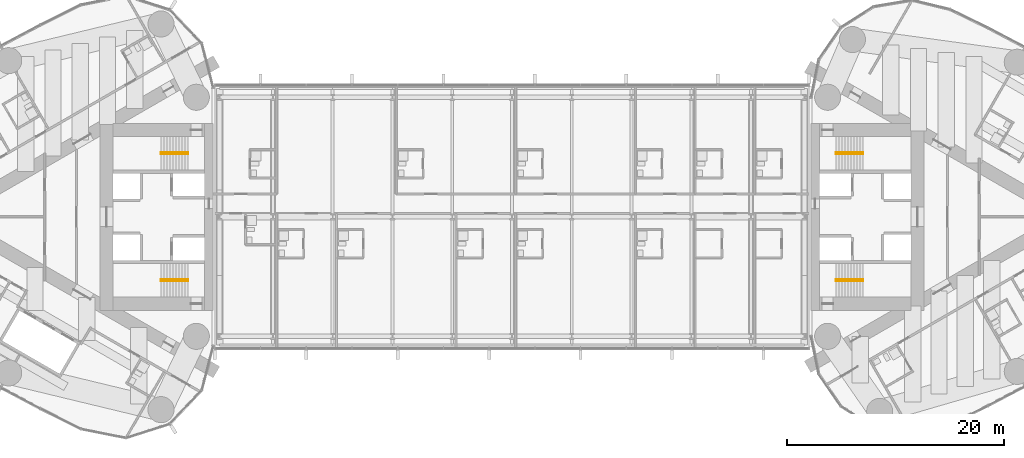
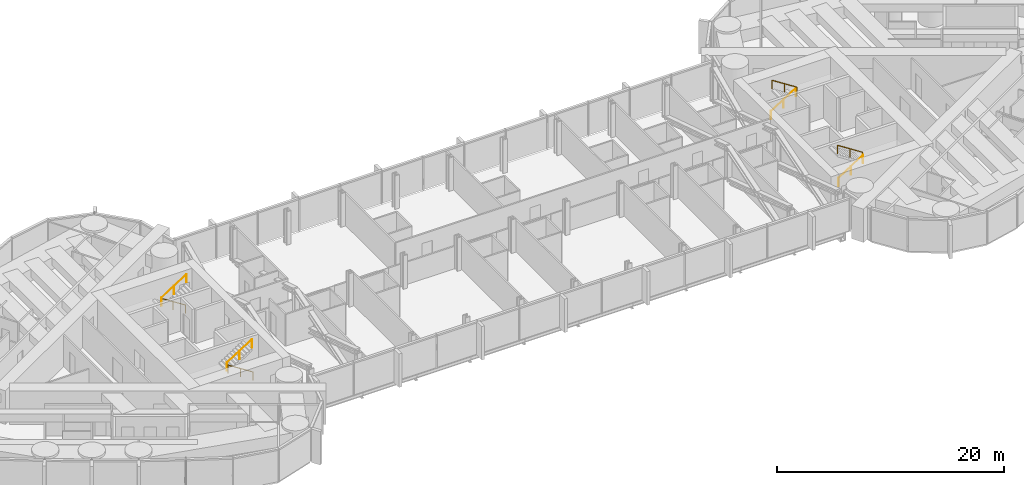
# One storey, part 22 of 23: 8 railings.
"""IFC4 building model written with IfcOpenShell, lengths in metres."""

from ifc_helpers import new_model, si_unit, direction, frame, origin, origin_2d, place, context, subcontext, project, spatial, circle, extrude, material, type_object, element, save


model = new_model("IFC4")

# Units and contexts
model_context = context("Model", 3, precision=1e-05, world=origin(), true_north=direction((0.0, 1.0)))
body_context = subcontext(model_context, "Body", "Model", "MODEL_VIEW")
ifc_project = project(units=[si_unit("LENGTHUNIT", "METRE"), si_unit("AREAUNIT", "SQUARE_METRE"), si_unit("VOLUMEUNIT", "CUBIC_METRE"), si_unit("PLANEANGLEUNIT", "RADIAN"), si_unit("MASSUNIT", "GRAM", prefix="KILO")], contexts=[model_context])

# Site, building, storey
site_placement = place(None, origin())
site = spatial("IfcSite", under=ifc_project, at=site_placement, CompositionType="ELEMENT")
building_placement = place(site_placement, origin())
building = spatial("IfcBuilding", under=site, at=building_placement, Name="Lancet Gate Hotel", CompositionType="ELEMENT")
storey_placement = place(building_placement, frame((0.0, 0.0, 240.5)))
storey = spatial("IfcBuildingStorey", under=building, at=storey_placement, Name="L64", CompositionType="ELEMENT", Elevation=240.5)

# Railings
ifc_material = material(Name="Stainless steel handrail", Category="steel")
railing_type = type_object("IfcRailingType", Name="Stair handrail 900", PredefinedType="HANDRAIL", material=ifc_material)
railing_1_placement = place(storey_placement, frame((-29.800048828125, 5.929931640625, 0.179931640625)))
element("IfcRailing", 1, at=railing_1_placement, inside=storey, type_object=railing_type, Name="ST1 handrail flight 1 L64", PredefinedType="HANDRAIL", context=body_context, shape_type="SweptSolid", body=[
    extrude(circle(Radius=0.02392578125, at=origin_2d()), frame((0.0, 0.0, 0.8759765625), z_axis=(-0.841162588446, 0.0, 0.540782303519), x_axis=(0.0, -1.0, 0.0)), (0.0, 0.0, 1.0), 2.995849609375),
    extrude(circle(Radius=0.02099609375, at=origin_2d()), origin(), (0.0, 0.0, 1.0), 0.851806640625),
    extrude(circle(Radius=0.02099609375, at=origin_2d()), frame((-1.260009765625, 0.0, 0.81005859375)), (0.0, 0.0, 1.0), 0.851806640625),
    extrude(circle(Radius=0.02099609375, at=origin_2d()), frame((-2.52001953125, 0.0, 1.6201171875)), (0.0, 0.0, 1.0), 0.851806640625),
])
railing_2_placement = place(storey_placement, frame((-32.320068359375, 5.77001953125, 1.97998046875)))
element("IfcRailing", 2, at=railing_2_placement, inside=storey, type_object=railing_type, Name="ST1 handrail flight 2 L64", PredefinedType="HANDRAIL", context=body_context, shape_type="SweptSolid", body=[
    extrude(circle(Radius=0.02392578125, at=origin_2d()), frame((0.0, 0.0, 0.8759765625), z_axis=(0.841162588446, 0.0, 0.540782303519), x_axis=(0.0, 1.0, 0.0)), (0.0, 0.0, 1.0), 2.995849609375),
    extrude(circle(Radius=0.02099609375, at=origin_2d()), origin(), (0.0, 0.0, 1.0), 0.851806640625),
    extrude(circle(Radius=0.02099609375, at=origin_2d()), frame((1.260009765625, 0.0, 0.81005859375)), (0.0, 0.0, 1.0), 0.851806640625),
    extrude(circle(Radius=0.02099609375, at=origin_2d()), frame((2.52001953125, 0.0, 1.6201171875)), (0.0, 0.0, 1.0), 0.851806640625),
])
railing_3_placement = place(storey_placement, frame((-29.800048828125, -5.929931640625, 0.179931640625)))
element("IfcRailing", 3, at=railing_3_placement, inside=storey, type_object=railing_type, Name="ST2 handrail flight 1 L64", PredefinedType="HANDRAIL", context=body_context, shape_type="SweptSolid", body=[
    extrude(circle(Radius=0.02392578125, at=origin_2d()), frame((0.0, 0.0, 0.8759765625), z_axis=(-0.841162588446, 0.0, 0.540782303519), x_axis=(0.0, -1.0, 0.0)), (0.0, 0.0, 1.0), 2.995849609375),
    extrude(circle(Radius=0.02099609375, at=origin_2d()), origin(), (0.0, 0.0, 1.0), 0.851806640625),
    extrude(circle(Radius=0.02099609375, at=origin_2d()), frame((-1.260009765625, 0.0, 0.81005859375)), (0.0, 0.0, 1.0), 0.851806640625),
    extrude(circle(Radius=0.02099609375, at=origin_2d()), frame((-2.52001953125, 0.0, 1.6201171875)), (0.0, 0.0, 1.0), 0.851806640625),
])
for number, where, name in (
    (4, (-32.320068359375, -5.77001953125, 1.97998046875), "ST2 handrail flight 2 L64"),
    (5, (29.800048828125, -5.929931640625, 0.179931640625), "ST3 handrail flight 1 L64"),
):
    element("IfcRailing", number, at=place(storey_placement, frame(where)), inside=storey, type_object=railing_type, Name=name, PredefinedType="HANDRAIL", context=body_context, shape_type="SweptSolid", body=[
        extrude(circle(Radius=0.02392578125, at=origin_2d()), frame((0.0, 0.0, 0.8759765625), z_axis=(0.841162588446, 0.0, 0.540782303519), x_axis=(0.0, 1.0, 0.0)), (0.0, 0.0, 1.0), 2.995849609375),
        extrude(circle(Radius=0.02099609375, at=origin_2d()), origin(), (0.0, 0.0, 1.0), 0.851806640625),
        extrude(circle(Radius=0.02099609375, at=origin_2d()), frame((1.260009765625, 0.0, 0.81005859375)), (0.0, 0.0, 1.0), 0.851806640625),
        extrude(circle(Radius=0.02099609375, at=origin_2d()), frame((2.52001953125, 0.0, 1.6201171875)), (0.0, 0.0, 1.0), 0.851806640625),
    ])
railing_4_placement = place(storey_placement, frame((32.320068359375, -5.77001953125, 1.97998046875)))
element("IfcRailing", 6, at=railing_4_placement, inside=storey, type_object=railing_type, Name="ST3 handrail flight 2 L64", PredefinedType="HANDRAIL", context=body_context, shape_type="SweptSolid", body=[
    extrude(circle(Radius=0.02392578125, at=origin_2d()), frame((0.0, 0.0, 0.8759765625), z_axis=(-0.841162588446, 0.0, 0.540782303519), x_axis=(0.0, -1.0, 0.0)), (0.0, 0.0, 1.0), 2.995849609375),
    extrude(circle(Radius=0.02099609375, at=origin_2d()), origin(), (0.0, 0.0, 1.0), 0.851806640625),
    extrude(circle(Radius=0.02099609375, at=origin_2d()), frame((-1.260009765625, 0.0, 0.81005859375)), (0.0, 0.0, 1.0), 0.851806640625),
    extrude(circle(Radius=0.02099609375, at=origin_2d()), frame((-2.52001953125, 0.0, 1.6201171875)), (0.0, 0.0, 1.0), 0.851806640625),
])
railing_5_placement = place(storey_placement, frame((29.800048828125, 5.929931640625, 0.179931640625)))
element("IfcRailing", 7, at=railing_5_placement, inside=storey, type_object=railing_type, Name="ST4 handrail flight 1 L64", PredefinedType="HANDRAIL", context=body_context, shape_type="SweptSolid", body=[
    extrude(circle(Radius=0.02392578125, at=origin_2d()), frame((0.0, 0.0, 0.8759765625), z_axis=(0.841162588446, 0.0, 0.540782303519), x_axis=(0.0, 1.0, 0.0)), (0.0, 0.0, 1.0), 2.995849609375),
    extrude(circle(Radius=0.02099609375, at=origin_2d()), origin(), (0.0, 0.0, 1.0), 0.851806640625),
    extrude(circle(Radius=0.02099609375, at=origin_2d()), frame((1.260009765625, 0.0, 0.81005859375)), (0.0, 0.0, 1.0), 0.851806640625),
    extrude(circle(Radius=0.02099609375, at=origin_2d()), frame((2.52001953125, 0.0, 1.6201171875)), (0.0, 0.0, 1.0), 0.851806640625),
])
railing_6_placement = place(storey_placement, frame((32.320068359375, 5.77001953125, 1.97998046875)))
element("IfcRailing", 8, at=railing_6_placement, inside=storey, type_object=railing_type, Name="ST4 handrail flight 2 L64", PredefinedType="HANDRAIL", context=body_context, shape_type="SweptSolid", body=[
    extrude(circle(Radius=0.02392578125, at=origin_2d()), frame((0.0, 0.0, 0.8759765625), z_axis=(-0.841162588446, 0.0, 0.540782303519), x_axis=(0.0, -1.0, 0.0)), (0.0, 0.0, 1.0), 2.995849609375),
    extrude(circle(Radius=0.02099609375, at=origin_2d()), origin(), (0.0, 0.0, 1.0), 0.851806640625),
    extrude(circle(Radius=0.02099609375, at=origin_2d()), frame((-1.260009765625, 0.0, 0.81005859375)), (0.0, 0.0, 1.0), 0.851806640625),
    extrude(circle(Radius=0.02099609375, at=origin_2d()), frame((-2.52001953125, 0.0, 1.6201171875)), (0.0, 0.0, 1.0), 0.851806640625),
])

save(model, "model.ifc")
